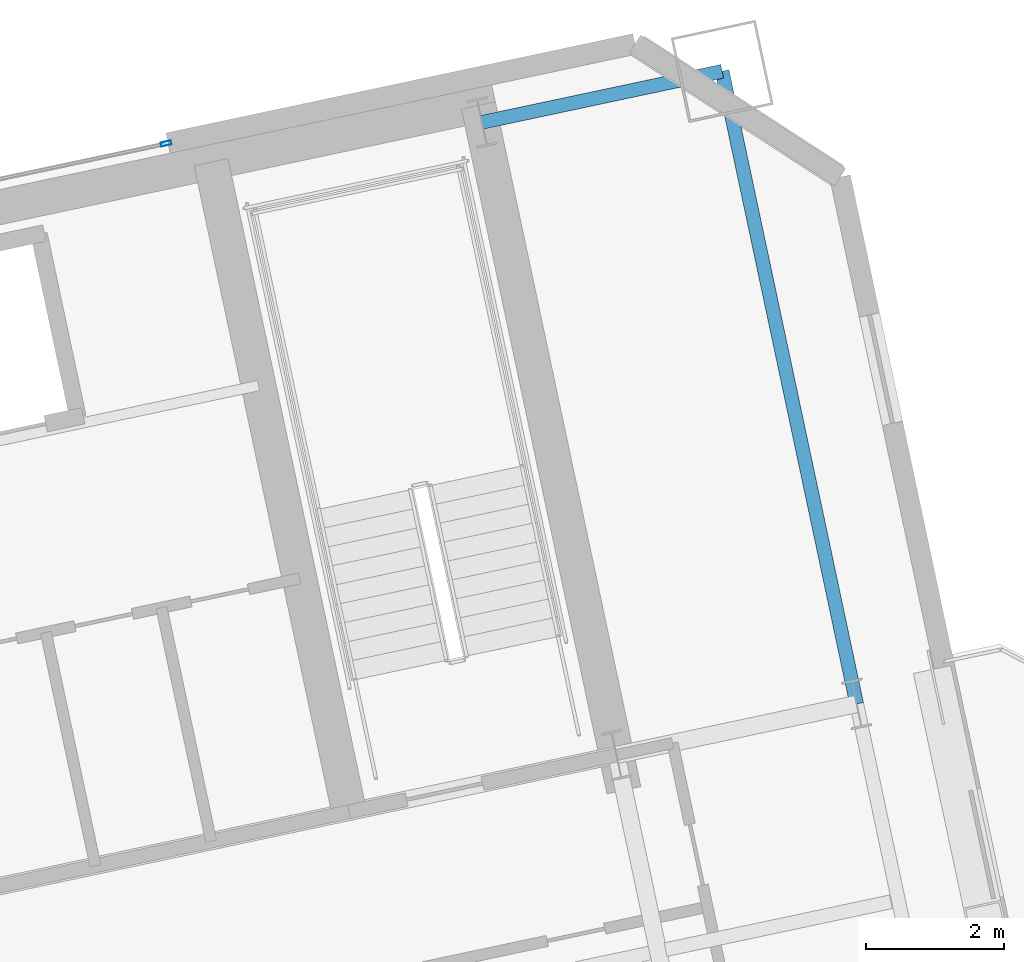
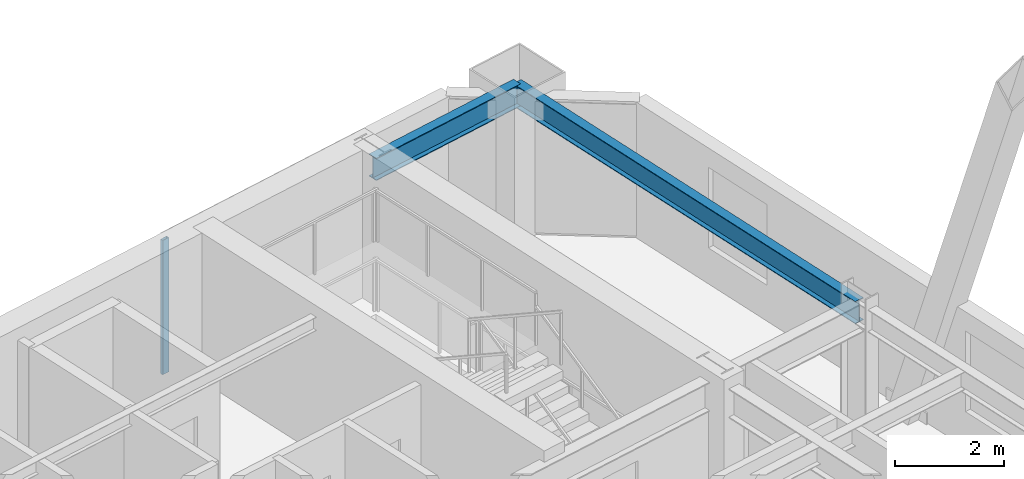
# One storey, part 7 of 20: 2 beams, 1 member, 1 element without a shape of its own.
"""IFC4 building model written with IfcOpenShell, lengths in metres."""

from ifc_helpers import new_model, si_unit, direction, frame, origin, origin_2d, place, context, subcontext, project, spatial, hollow_rectangle, i_section, extrude, material, layer, layer_set, material_profile, profile_set, type_object, element, aggregate, save


model = new_model("IFC4")

# Units and contexts
model_context = context("Model", 3, precision=1e-05, world=origin(), true_north=direction((0.0, 1.0)))
body_context = subcontext(model_context, "Body", "Model", "MODEL_VIEW")
ifc_project = project(units=[si_unit("LENGTHUNIT", "METRE"), si_unit("AREAUNIT", "SQUARE_METRE"), si_unit("VOLUMEUNIT", "CUBIC_METRE"), si_unit("PLANEANGLEUNIT", "RADIAN"), si_unit("MASSUNIT", "GRAM", prefix="KILO")], contexts=[model_context])

# Site, building, storey
site_placement = place(None, origin())
site = spatial("IfcSite", under=ifc_project, at=site_placement, CompositionType="ELEMENT")
building_placement = place(site_placement, origin())
building = spatial("IfcBuilding", under=site, at=building_placement, Name="Haevon Station Towers", CompositionType="ELEMENT")
storey_placement = place(building_placement, frame((0.0, 0.0, 175.800048828125)))
storey = spatial("IfcBuildingStorey", under=building, at=storey_placement, Name="L48", CompositionType="ELEMENT", Elevation=175.800048828125)

# Beams
ifc_material_1 = material(Name="Steel S355", Category="steel")
ifc_material_profile_1 = material_profile(ifc_material_1, i_section(OverallWidth=0.199951171875, OverallDepth=0.5, WebThickness=0.010009765625, FlangeThickness=0.01611328125, at=origin_2d()), Name="H-500x200x10x16")
ifc_profile_set_1 = profile_set([ifc_material_profile_1], Name="Steel S355")
beam_type = type_object("IfcBeamType", Name="BM-SP500", PredefinedType="SPANDREL", material=ifc_profile_set_1)
beam_1_placement = place(storey_placement, frame((117.349365234375, 50.954345703125, 2.800048828125), z_axis=(0.978153257847, 0.207885074414, 0.0), x_axis=(-0.207885074414, 0.978153257847, 0.0)))
element("IfcBeam", 1, at=beam_1_placement, inside=storey, type_object=beam_type, Name="BM-T2U-L48-04-04", PredefinedType="SPANDREL", context=body_context, shape_type="SweptSolid", body=[
    extrude(i_section(OverallWidth=0.199951171875, OverallDepth=0.5, WebThickness=0.010009765625, FlangeThickness=0.01611328125, at=origin_2d()), origin(), (0.0, 0.0, 1.0), 3.55029296875),
])
beam_2_placement = place(storey_placement, frame((122.765869140625, 42.546630859375, 2.800048828125), z_axis=(-0.207897167074, 0.978150687738, 0.0), x_axis=(-0.978150687738, -0.207897167074, 0.0)))
element("IfcBeam", 2, at=beam_2_placement, inside=storey, type_object=beam_type, Name="BM-T2V-L48-05-03", PredefinedType="SPANDREL", context=body_context, shape_type="SweptSolid", body=[
    extrude(i_section(OverallWidth=0.199951171875, OverallDepth=0.5, WebThickness=0.010009765625, FlangeThickness=0.01611328125, at=origin_2d()), origin(), (0.0, 0.0, 1.0), 9.35009765625),
])

# Curtain wall, member
ifc_material_2 = material(Name="Anodised aluminium and Low-E double glazing", Category="aluminium")
ifc_layer = layer(ifc_material_2, 0.179931640625)
ifc_layer_set = layer_set([ifc_layer], Name="Anodised aluminium and Low-E double glazing")
curtain_wall_type = type_object("IfcCurtainWallType", Name="CW-SYS5", PredefinedType="NOTDEFINED", material=ifc_layer_set)
curtain_wall_placement = place(storey_placement, origin())
curtain_wall = element("IfcCurtainWall", 3, at=curtain_wall_placement, inside=storey, type_object=curtain_wall_type, Name="L48 Curtain Wall CW-T2-L48-N", PredefinedType="NOTDEFINED")
ifc_material_3 = material(Name="Anodised aluminium 6063-T6", Category="aluminium")
ifc_material_profile_2 = material_profile(ifc_material_3, hollow_rectangle(XDim=0.06005859375, YDim=0.14990234375, WallThickness=0.00341796875, at=origin_2d()), Name="CWM-150x60x3.5")
ifc_profile_set_2 = profile_set([ifc_material_profile_2], Name="Anodised aluminium 6063-T6")
member_type = type_object("IfcMemberType", Name="CWM-150", PredefinedType="MULLION", material=ifc_profile_set_2)
member_placement = place(storey_placement, frame((112.783203125, 50.648193359375, 0.0), z_axis=(0.0, 0.0, 1.0), x_axis=(-0.207911783211, 0.978147581095, 0.0)))
member = element("IfcMember", 4, at=member_placement, type_object=member_type, Name="CW-SYS5 mullion 3", PredefinedType="MULLION", context=body_context, shape_type="SweptSolid", body=[
    extrude(hollow_rectangle(XDim=0.06005859375, YDim=0.14990234375, WallThickness=0.00341796875, at=origin_2d()), origin(), (0.0, 0.0, 1.0), 3.0),
])
aggregate(curtain_wall, [member])

save(model, "model.ifc")
